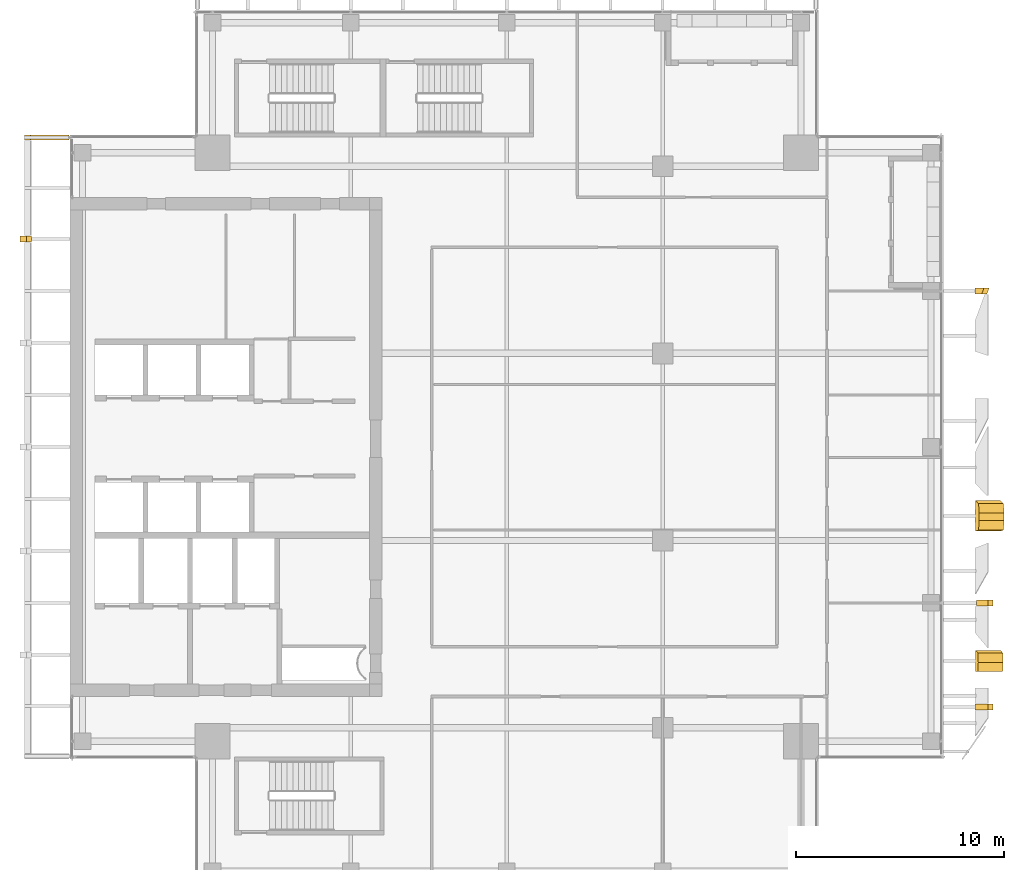
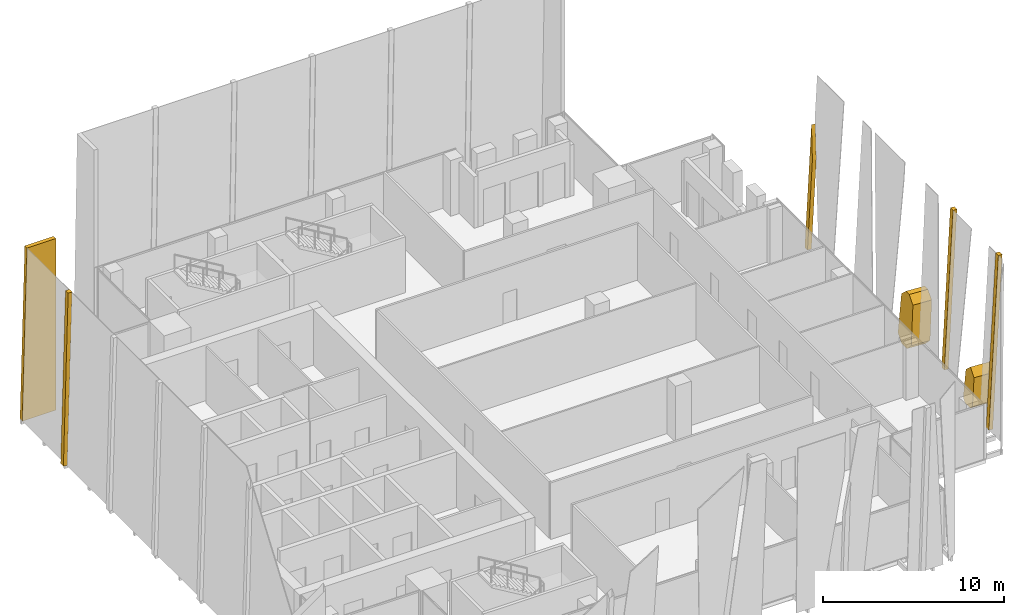
# One storey, part 31 of 33: 7 coverings.
"""IFC4 building model written with IfcOpenShell, lengths in metres."""

from ifc_helpers import new_model, si_unit, direction, frame, origin, place, context, subcontext, project, spatial, polyline, outline, extrude, material, layer, layer_set, type_object, element, save


model = new_model("IFC4")

# Units and contexts
model_context = context("Model", 3, precision=1e-05, world=origin(), true_north=direction((0.0, 1.0)))
body_context = subcontext(model_context, "Body", "Model", "MODEL_VIEW")
ifc_project = project(units=[si_unit("LENGTHUNIT", "METRE"), si_unit("AREAUNIT", "SQUARE_METRE"), si_unit("VOLUMEUNIT", "CUBIC_METRE"), si_unit("PLANEANGLEUNIT", "RADIAN"), si_unit("MASSUNIT", "GRAM", prefix="KILO")], contexts=[model_context])

# Site, building, storey
site_placement = place(None, origin())
site = spatial("IfcSite", under=ifc_project, at=site_placement, CompositionType="ELEMENT")
building_placement = place(site_placement, origin())
building = spatial("IfcBuilding", under=site, at=building_placement, Name="Khomas Fold Tower", CompositionType="ELEMENT")
storey_placement = place(building_placement, frame((0.0, 0.0, 294.199951171875)))
storey = spatial("IfcBuildingStorey", under=building, at=storey_placement, Name="L66", CompositionType="ELEMENT", Elevation=294.199951171875)

# Coverings
ifc_material_1 = material(Name="Natural stone cladding", Category="masonry")
ifc_layer_1 = layer(ifc_material_1, 0.25)
ifc_layer_set_1 = layer_set([ifc_layer_1], Name="Natural stone cladding")
covering_type_1 = type_object("IfcCoveringType", Name="SK-Karibib marble stone mullion", PredefinedType="CLADDING", material=ifc_layer_set_1)
covering_1_placement = place(storey_placement, frame((49.52880859375, 14.35009765625, 0.0), z_axis=(-0.99862882819, 0.0, 0.052349436554), x_axis=(0.052349436554, 0.0, 0.99862882819)))
element("IfcCovering", 1, at=covering_1_placement, inside=storey, type_object=covering_type_1, Name="OUTER SKIN mullion L66 EM099-2", PredefinedType="CLADDING", context=body_context, shape_type="SweptSolid", body=[
    extrude(outline(polyline([(0.0, 0.0), (11.565907674683308, 0.0), (11.565907674683308, 0.2998046875), (0.0, 0.2998046875), (0.0, 0.0)])), origin(), (0.0, 0.0, -1.0), 0.25),
])
covering_2_placement = place(storey_placement, frame((50.13427734375, 19.35009765625, 11.550048828125), z_axis=(-0.998629105853, -0.000210456139, 0.052343716443), x_axis=(-0.00021016763, 0.999999977854, 1.1016057e-05)))
element("IfcCovering", 2, at=covering_2_placement, inside=storey, type_object=covering_type_1, Name="OUTER SKIN mullion L66 EM100-7", PredefinedType="CLADDING", context=body_context, shape_type="SweptSolid", body=[
    extrude(outline(polyline([(0.0, 0.0), (0.2998046808605574, 0.0), (0.29980470566655354, 10.137682932506449), (0.26025389873467, 10.564531012519925), (-1.7517747920515114e-09, 10.564531012519925), (0.0, 0.0)])), origin(), (0.0, 0.0, -1.0), 0.25),
])
covering_3_placement = place(storey_placement, frame((49.52880859375, 34.35009765625, 0.0), z_axis=(-0.998629030817, 0.000135277628, 0.052345396261), x_axis=(0.05234539674, -9.15e-10, 0.998629039954)))
element("IfcCovering", 3, at=covering_3_placement, inside=storey, type_object=covering_type_1, Name="OUTER SKIN mullion L66 EM103-10", PredefinedType="CLADDING", context=body_context, shape_type="SweptSolid", body=[
    extrude(outline(polyline([(0.0, 0.0), (5.9940553311551446, 6.776263578034403e-21), (8.114642598478548, 0.29980469767065626), (-2.7441512714380613e-10, 0.29980468475678157), (0.0, 0.0)])), origin(), (0.0, 0.0, -1.0), 0.25),
])
covering_4_placement = place(storey_placement, frame((3.59619140625, 36.85009765625, 0.006591796875), z_axis=(-0.999657230839, 0.0, 0.026180543005), x_axis=(0.0, 1.0, 0.0)))
element("IfcCovering", 4, at=covering_4_placement, inside=storey, type_object=covering_type_1, Name="OUTER SKIN mullion L66 W10", PredefinedType="CLADDING", context=body_context, shape_type="SweptSolid", body=[
    extrude(outline(polyline([(0.0, 0.0), (0.2998046875, 0.0), (0.2998046875, -11.554009186164079), (0.0, -11.554009186164079), (0.0, 0.0)])), origin(), (0.0, 0.0, -1.0), 0.25),
])
covering_5_placement = place(storey_placement, frame((5.949951171875, 42.0, 0.0), z_axis=(0.0, 1.0, 0.0), x_axis=(-1.0, 0.0, 0.0)))
element("IfcCovering", 5, at=covering_5_placement, inside=storey, type_object=covering_type_1, Name="OUTER SKIN return L66 W2", PredefinedType="CLADDING", context=body_context, shape_type="SweptSolid", body=[
    extrude(outline(polyline([(0.0, 0.0), (2.14404296875, 0.0), (1.841552734375, 11.550048828125), (0.0, 11.550048828125), (0.0, 0.0)])), origin(), (0.0, 0.0, -1.0), 0.25),
])
ifc_material_2 = material(Name="Natural stone cladding", Category="masonry")
ifc_layer_2 = layer(ifc_material_2, 1.199951171875)
ifc_layer_set_2 = layer_set([ifc_layer_2], Name="Natural stone cladding")
covering_type_2 = type_object("IfcCoveringType", Name="SK-Karibib marble stone panel", PredefinedType="CLADDING", material=ifc_layer_set_2)
covering_6_placement = place(storey_placement, frame((49.654541015625, 17.09912109375, 2.395263671875), z_axis=(-0.998629537179, 0.000123323879, 0.052335764679), x_axis=(-0.052226372208, 0.06231664531, -0.996689039652)))
element("IfcCovering", 6, at=covering_6_placement, inside=storey, type_object=covering_type_2, Name="OUTER SKIN leaf L66 ES03-1", PredefinedType="CLADDING", context=body_context, shape_type="SweptSolid", body=[
    extrude(outline(polyline([(0.0, 0.0), (1.923611759420777, 1.3877787807814457e-17), (2.138150978339613, 0.22816829443333975), (2.1004658390738813, 0.8317292700362096), (1.8881681364398366, 1.0188143704620454), (-0.027960786257470324, 0.89917513250931), (-0.45048674564718993, 0.4359091763836738), (0.0, 0.0)])), origin(), (0.0, 0.0, -1.0), 1.199951171875),
])
covering_7_placement = place(storey_placement, frame((49.692626953125, 24.27099609375, 3.124755859375), z_axis=(-0.99862934594, -5.5790051e-05, 0.052339529173), x_axis=(-0.052264595218, 0.054564892622, -0.997141456655)))
element("IfcCovering", 7, at=covering_7_placement, inside=storey, type_object=covering_type_2, Name="OUTER SKIN leaf L66 ES06-2", PredefinedType="CLADDING", context=body_context, shape_type="SweptSolid", body=[
    extrude(outline(polyline([(0.0, 0.0), (2.657744290255226, 2.7755575615628914e-17), (3.1077869118435153, 0.4744821460471167), (3.0769875876879573, 1.0380943628790016), (2.5932570281185945, 1.4622827782539012), (-0.05340011271020468, 1.2638616771525342), (-0.46970559258511774, 0.7904896160886894), (-0.4497499751175461, 0.42531180431785726), (0.0, 0.0)])), origin(), (0.0, 0.0, -1.0), 1.199951171875),
])

save(model, "model.ifc")
